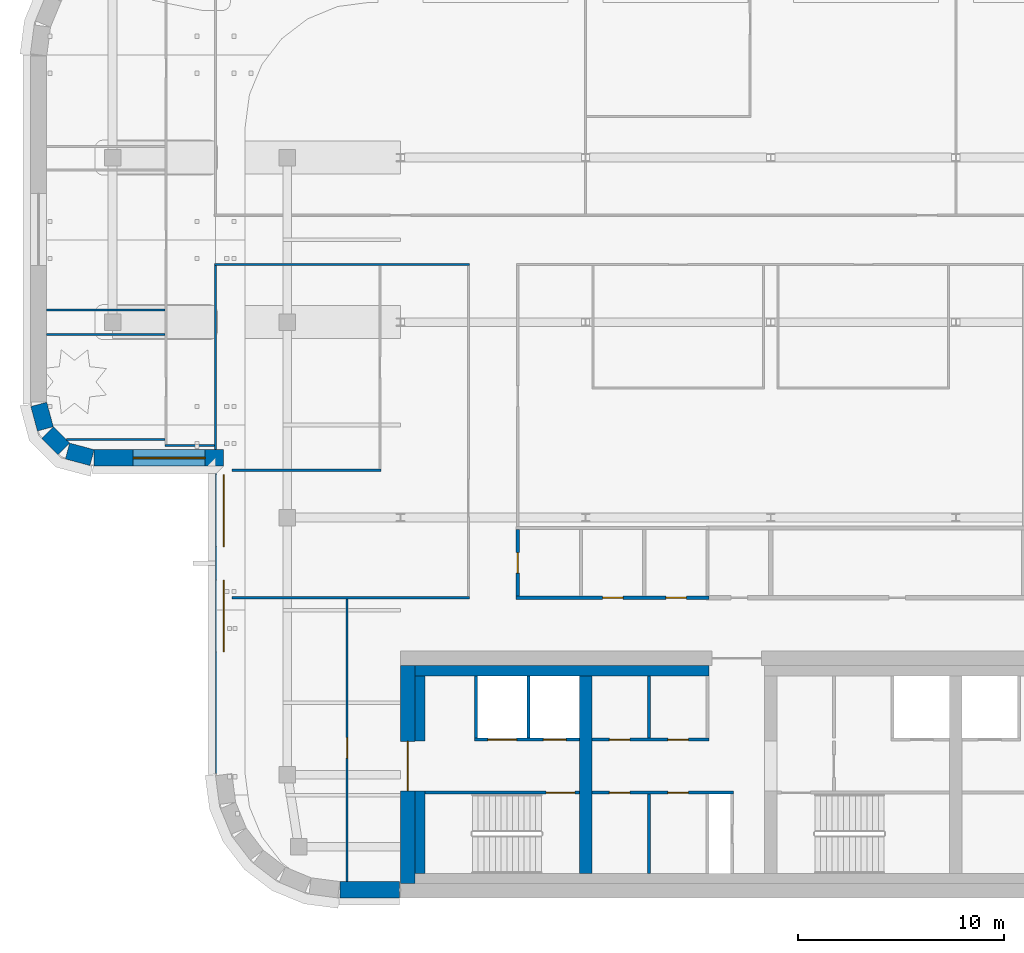
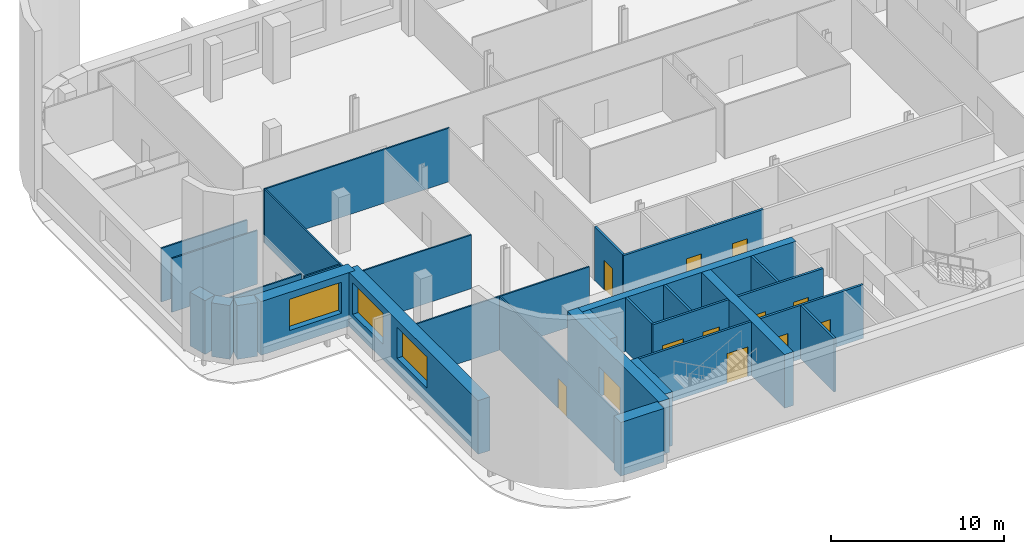
# One storey, part 6 of 19: 30 walls, 12 doors, 3 windows, 15 openings.
"""IFC4 building model written with IfcOpenShell, lengths in metres."""

from ifc_helpers import new_model, si_unit, direction, frame, frame_2d, origin, place, context, subcontext, project, spatial, rectangle, extrude, material, layer, layer_set, type_object, element, fill, save


model = new_model("IFC4")

# Units and contexts
model_context = context("Model", 3, precision=1e-05, world=origin(), true_north=direction((0.0, 1.0)))
body_context = subcontext(model_context, "Body", "Model", "MODEL_VIEW")
ifc_project = project(units=[si_unit("LENGTHUNIT", "METRE"), si_unit("AREAUNIT", "SQUARE_METRE"), si_unit("VOLUMEUNIT", "CUBIC_METRE"), si_unit("PLANEANGLEUNIT", "RADIAN"), si_unit("MASSUNIT", "GRAM", prefix="KILO")], contexts=[model_context])

# Site, building, storey
site_placement = place(None, origin())
site = spatial("IfcSite", under=ifc_project, at=site_placement, CompositionType="ELEMENT")
building_placement = place(site_placement, origin())
building = spatial("IfcBuilding", under=site, at=building_placement, Name="Zellij Exchange Tower", CompositionType="ELEMENT")
storey_placement = place(building_placement, frame((0.0, 0.0, 220.5)))
storey = spatial("IfcBuildingStorey", under=building, at=storey_placement, Name="L51", CompositionType="ELEMENT", Elevation=220.5)

# Walls
ifc_material_1 = material(Name="Concrete C50/60", Category="concrete")
ifc_layer_1 = layer(ifc_material_1, 0.60009765625)
ifc_layer_set_1 = layer_set([ifc_layer_1], Name="Concrete C50/60")
wall_type_1 = type_object("IfcWallType", Name="CORE-CW 600 C50/60", PredefinedType="SHEAR", material=ifc_layer_set_1)
wall_1_placement = place(storey_placement, frame((-18.0, -12.800048828125, 0.0), z_axis=(0.0, 0.0, 1.0), x_axis=(0.0, 1.0, 0.0)))
element("IfcWall", 1, at=wall_1_placement, inside=storey, type_object=wall_type_1, Name="Core cross wall x -18 L51", PredefinedType="SHEAR", context=body_context, shape_type="SweptSolid", body=[
    extrude(rectangle(XDim=9.60009765625, YDim=0.60009765625, at=frame_2d((4.800048828125, 0.0))), origin(), (0.0, 0.0, 1.0), 3.800048828125),
])
ifc_material_2 = material(Name="Concrete C30/37", Category="concrete")
ifc_layer_2 = layer(ifc_material_2, 0.5)
ifc_layer_set_2 = layer_set([ifc_layer_2], Name="Concrete C30/37")
wall_type_2 = type_object("IfcWallType", Name="CORE-LW 500 C30/37", PredefinedType="SHEAR", material=ifc_layer_set_2)
wall_2_placement = place(storey_placement, frame((-26.300048828125, -2.949951171875, 0.0), z_axis=(0.0, 0.0, 1.0), x_axis=(1.0, 0.0, 0.0)))
element("IfcWall", 2, at=wall_2_placement, inside=storey, type_object=wall_type_2, Name="Core wall lining front.0 L51", PredefinedType="SHEAR", context=body_context, shape_type="SweptSolid", body=[
    extrude(rectangle(XDim=14.300048828125, YDim=0.5, at=frame_2d((7.14990234375, 0.0))), origin(), (0.0, 0.0, 1.0), 3.800048828125),
])
wall_3_placement = place(storey_placement, frame((-26.050048828125, -12.800048828125, 0.0), z_axis=(0.0, 0.0, 1.0), x_axis=(0.0, 1.0, 0.0)))
element("IfcWall", 3, at=wall_3_placement, inside=storey, type_object=wall_type_2, Name="Core wall lining end w.0 L51", PredefinedType="SHEAR", context=body_context, shape_type="SweptSolid", body=[
    extrude(rectangle(XDim=4.0, YDim=0.5, at=frame_2d((2.0, 0.0))), origin(), (0.0, 0.0, 1.0), 3.800048828125),
])
wall_4_placement = place(storey_placement, frame((-26.050048828125, -6.375, 0.0), z_axis=(0.0, 0.0, 1.0), x_axis=(0.0, 1.0, 0.0)))
element("IfcWall", 4, at=wall_4_placement, inside=storey, type_object=wall_type_2, Name="Core wall lining end w.1 L51", PredefinedType="SHEAR", context=body_context, shape_type="SweptSolid", body=[
    extrude(rectangle(XDim=3.175048828125, YDim=0.5, at=frame_2d((1.58740234375, 0.0))), origin(), (0.0, 0.0, 1.0), 3.800048828125),
])
ifc_material_3 = material(Name="Gypsum board partition")
ifc_layer_3 = layer(ifc_material_3, 0.14990234375)
ifc_layer_set_3 = layer_set([ifc_layer_3], Name="Gypsum board partition")
wall_type_3 = type_object("IfcWallType", Name="CORE-PW 150 Lift lobby wall", PredefinedType="PARTITIONING", material=ifc_layer_set_3)
wall_5_placement = place(storey_placement, frame((-14.925048828125, -6.22509765625, 0.0), z_axis=(0.0, 0.0, 1.0), x_axis=(0.0, 1.0, 0.0)))
element("IfcWall", 5, at=wall_5_placement, inside=storey, type_object=wall_type_3, Name="Lift lobby wall L51", PredefinedType="PARTITIONING", context=body_context, shape_type="SweptSolid", body=[
    extrude(rectangle(XDim=3.025146484375, YDim=0.14990234375, at=frame_2d((1.5126953125, 0.0))), origin(), (0.0, 0.0, 1.0), 3.800048828125),
])
wall_6_placement = place(storey_placement, frame((-14.925048828125, -12.800048828125, 0.0), z_axis=(0.0, 0.0, 1.0), x_axis=(0.0, 1.0, 0.0)))
element("IfcWall", 6, at=wall_6_placement, inside=storey, type_object=wall_type_3, Name="Lift lobby wall L51", PredefinedType="PARTITIONING", context=body_context, shape_type="SweptSolid", body=[
    extrude(rectangle(XDim=3.85009765625, YDim=0.14990234375, at=frame_2d((1.925048828125, 0.0))), origin(), (0.0, 0.0, 1.0), 3.800048828125),
])

# Wall, openings, doors
wall_7_placement = place(storey_placement, frame((-17.699951171875, -6.300048828125, 0.0), z_axis=(0.0, 0.0, 1.0), x_axis=(1.0, 0.0, 0.0)))
wall_7 = element("IfcWall", 7, at=wall_7_placement, inside=storey, type_object=wall_type_3, Name="Lift lobby wall L51", PredefinedType="PARTITIONING", context=body_context, shape_type="SweptSolid", body=[
    extrude(rectangle(XDim=5.699951171875, YDim=0.14990234375, at=frame_2d((2.85009765625, 0.0))), origin(), (0.0, 0.0, 1.0), 3.800048828125),
])
opening_1_placement = place(wall_7_placement, frame((0.85009765625, 0.0, 0.0)))
opening_1 = element("IfcOpeningElement", 8, at=opening_1_placement, cuts=wall_7, Name="Opening CA-28.06", PredefinedType="OPENING", context=body_context, shape_type="SweptSolid", body=[
    extrude(rectangle(XDim=1.0, YDim=2.10009765625, at=frame_2d((0.5, 1.050048828125))), frame((0.0, 0.0869140625, 0.0), z_axis=(0.0, -1.0, 0.0), x_axis=(1.0, 0.0, 0.0)), (0.0, 0.0, 1.0), 0.173828125),
])
opening_2_placement = place(wall_7_placement, frame((3.699951171875, 0.0, 0.0)))
opening_2 = element("IfcOpeningElement", 9, at=opening_2_placement, cuts=wall_7, Name="Opening CA-28.08", PredefinedType="OPENING", context=body_context, shape_type="SweptSolid", body=[
    extrude(rectangle(XDim=1.0, YDim=2.10009765625, at=frame_2d((0.5, 1.050048828125))), frame((0.0, 0.0869140625, 0.0), z_axis=(0.0, -1.0, 0.0), x_axis=(1.0, 0.0, 0.0)), (0.0, 0.0, 1.0), 0.173828125),
])
ifc_material_4 = material(Name="Hollow metal fire door")
door_type_1 = type_object("IfcDoorType", Name="CORE-D CD Core room door 1000x2100 1 HR", OperationType="NOTDEFINED", PredefinedType="DOOR", material=ifc_material_4)
door_1_placement = place(opening_1_placement, origin())
door_1 = element("IfcDoor", 10, at=door_1_placement, inside=storey, type_object=door_type_1, Name="Core room door CA-28.06", OperationType="SINGLE_SWING_LEFT", OverallHeight=2.10009765625, OverallWidth=1.0, PredefinedType="DOOR", context=body_context, shape_type="SweptSolid", body=[
    extrude(rectangle(XDim=1.0, YDim=2.10009765625, at=frame_2d((0.5, 1.050048828125))), frame((0.0, 0.02490234375, 0.0), z_axis=(0.0, -1.0, 0.0), x_axis=(1.0, 0.0, 0.0)), (0.0, 0.0, 1.0), 0.050048828125),
])
fill(opening_1, door_1)
door_2_placement = place(opening_2_placement, origin())
door_2 = element("IfcDoor", 11, at=door_2_placement, inside=storey, type_object=door_type_1, Name="Core room door CA-28.08", OperationType="SINGLE_SWING_RIGHT", OverallHeight=2.10009765625, OverallWidth=1.0, PredefinedType="DOOR", context=body_context, shape_type="SweptSolid", body=[
    extrude(rectangle(XDim=1.0, YDim=2.10009765625, at=frame_2d((0.5, 1.050048828125))), frame((0.0, 0.02490234375, 0.0), z_axis=(0.0, -1.0, 0.0), x_axis=(1.0, 0.0, 0.0)), (0.0, 0.0, 1.0), 0.050048828125),
])
fill(opening_2, door_2)

wall_8_placement = place(storey_placement, frame((-17.699951171875, -8.875, 0.0), z_axis=(0.0, 0.0, 1.0), x_axis=(1.0, 0.0, 0.0)))
wall_8 = element("IfcWall", 12, at=wall_8_placement, inside=storey, type_object=wall_type_3, Name="Lift lobby wall L51", PredefinedType="PARTITIONING", context=body_context, shape_type="SweptSolid", body=[
    extrude(rectangle(XDim=6.89990234375, YDim=0.14990234375, at=frame_2d((3.449951171875, 0.0))), origin(), (0.0, 0.0, 1.0), 3.800048828125),
])
opening_3_placement = place(wall_8_placement, frame((0.85009765625, 0.0, 0.0)))
opening_3 = element("IfcOpeningElement", 13, at=opening_3_placement, cuts=wall_8, Name="Opening CA-28.05", PredefinedType="OPENING", context=body_context, shape_type="SweptSolid", body=[
    extrude(rectangle(XDim=1.0, YDim=2.10009765625, at=frame_2d((0.5, 1.050048828125))), frame((0.0, 0.0869140625, 0.0), z_axis=(0.0, -1.0, 0.0), x_axis=(1.0, 0.0, 0.0)), (0.0, 0.0, 1.0), 0.173828125),
])
opening_4_placement = place(wall_8_placement, frame((3.699951171875, 0.0, 0.0)))
opening_4 = element("IfcOpeningElement", 14, at=opening_4_placement, cuts=wall_8, Name="Opening CA-28.07", PredefinedType="OPENING", context=body_context, shape_type="SweptSolid", body=[
    extrude(rectangle(XDim=1.0, YDim=2.10009765625, at=frame_2d((0.5, 1.050048828125))), frame((0.0, 0.0869140625, 0.0), z_axis=(0.0, -1.0, 0.0), x_axis=(1.0, 0.0, 0.0)), (0.0, 0.0, 1.0), 0.173828125),
])
door_3_placement = place(opening_3_placement, origin())
door_3 = element("IfcDoor", 15, at=door_3_placement, inside=storey, type_object=door_type_1, Name="Core room door CA-28.05", OperationType="SINGLE_SWING_RIGHT", OverallHeight=2.10009765625, OverallWidth=1.0, PredefinedType="DOOR", context=body_context, shape_type="SweptSolid", body=[
    extrude(rectangle(XDim=1.0, YDim=2.10009765625, at=frame_2d((0.5, 1.050048828125))), frame((0.0, 0.02490234375, 0.0), z_axis=(0.0, -1.0, 0.0), x_axis=(1.0, 0.0, 0.0)), (0.0, 0.0, 1.0), 0.050048828125),
])
fill(opening_3, door_3)
door_4_placement = place(opening_4_placement, origin())
door_4 = element("IfcDoor", 16, at=door_4_placement, inside=storey, type_object=door_type_1, Name="Core room door CA-28.07", OperationType="SINGLE_SWING_LEFT", OverallHeight=2.10009765625, OverallWidth=1.0, PredefinedType="DOOR", context=body_context, shape_type="SweptSolid", body=[
    extrude(rectangle(XDim=1.0, YDim=2.10009765625, at=frame_2d((0.5, 1.050048828125))), frame((0.0, 0.02490234375, 0.0), z_axis=(0.0, -1.0, 0.0), x_axis=(1.0, 0.0, 0.0)), (0.0, 0.0, 1.0), 0.050048828125),
])
fill(opening_4, door_4)

# Walls
ifc_material_5 = material(Name="Gypsum shaft wall system")
ifc_layer_4 = layer(ifc_material_5, 0.14990234375)
ifc_layer_set_4 = layer_set([ifc_layer_4], Name="Gypsum shaft wall system")
wall_type_4 = type_object("IfcWallType", Name="CORE-PW 150 Lift shaft wall", PredefinedType="PARTITIONING", material=ifc_layer_set_4)
for number, where, z_axis, x_axis, name in (
    (17, (-20.77490234375, -6.22509765625, 0.0), (0.0, 0.0, 1.0), (0.0, 1.0, 0.0), "Lift shaft wall L51"),
    (18, (-23.324951171875, -6.22509765625, 0.0), (0.0, 0.0, 1.0), (0.0, 1.0, 0.0), "Lift shaft wall L51"),
):
    element("IfcWall", number, at=place(storey_placement, frame(where, z_axis=z_axis, x_axis=x_axis)), inside=storey, type_object=wall_type_4, Name=name, PredefinedType="PARTITIONING", context=body_context, shape_type="SweptSolid", body=[
        extrude(rectangle(XDim=3.025146484375, YDim=0.14990234375, at=frame_2d((1.5126953125, 0.0))), origin(), (0.0, 0.0, 1.0), 3.800048828125),
    ])

# Wall, openings, doors
wall_9_placement = place(storey_placement, frame((-23.39990234375, -6.300048828125, 0.0), z_axis=(0.0, 0.0, 1.0), x_axis=(1.0, 0.0, 0.0)))
wall_9 = element("IfcWall", 19, at=wall_9_placement, inside=storey, type_object=wall_type_4, Name="Lift shaft wall L51", PredefinedType="PARTITIONING", context=body_context, shape_type="SweptSolid", body=[
    extrude(rectangle(XDim=5.099853515625, YDim=0.14990234375, at=frame_2d((2.5498046875, 0.0))), origin(), (0.0, 0.0, 1.0), 3.800048828125),
])
opening_5_placement = place(wall_9_placement, frame((0.64990234375, 0.0, 0.0)))
opening_5 = element("IfcOpeningElement", 20, at=opening_5_placement, cuts=wall_9, Name="Opening CA-28.02", PredefinedType="OPENING", context=body_context, shape_type="SweptSolid", body=[
    extrude(rectangle(XDim=1.39990234375, YDim=2.10009765625, at=frame_2d((0.699951171875, 1.050048828125))), frame((0.0, 0.0869140625, 0.0), z_axis=(0.0, -1.0, 0.0), x_axis=(1.0, 0.0, 0.0)), (0.0, 0.0, 1.0), 0.173828125),
])
opening_6_placement = place(wall_9_placement, frame((3.35009765625, 0.0, 0.0)))
opening_6 = element("IfcOpeningElement", 21, at=opening_6_placement, cuts=wall_9, Name="Opening CA-28.03", PredefinedType="OPENING", context=body_context, shape_type="SweptSolid", body=[
    extrude(rectangle(XDim=1.10009765625, YDim=2.10009765625, at=frame_2d((0.550048828125, 1.050048828125))), frame((0.0, 0.0869140625, 0.0), z_axis=(0.0, -1.0, 0.0), x_axis=(1.0, 0.0, 0.0)), (0.0, 0.0, 1.0), 0.173828125),
])
door_type_2 = type_object("IfcDoorType", Name="CORE-D LD Lift landing door 1100x2100 1.5 HR", OperationType="NOTDEFINED", PredefinedType="DOOR", material=ifc_material_4)
door_5_placement = place(opening_6_placement, origin())
door_5 = element("IfcDoor", 22, at=door_5_placement, inside=storey, type_object=door_type_2, Name="Lift landing door CA-28.03", OperationType="SLIDING_TO_LEFT", OverallHeight=2.10009765625, OverallWidth=1.10009765625, PredefinedType="DOOR", context=body_context, shape_type="SweptSolid", body=[
    extrude(rectangle(XDim=1.10009765625, YDim=2.10009765625, at=frame_2d((0.550048828125, 1.050048828125))), frame((0.0, 0.02490234375, 0.0), z_axis=(0.0, -1.0, 0.0), x_axis=(1.0, 0.0, 0.0)), (0.0, 0.0, 1.0), 0.050048828125),
])
fill(opening_6, door_5)
door_type_3 = type_object("IfcDoorType", Name="CORE-D LD2 Service lift landing door 1400x2100 1.5 HR", OperationType="NOTDEFINED", PredefinedType="DOOR", material=ifc_material_4)
door_6_placement = place(opening_5_placement, origin())
door_6 = element("IfcDoor", 23, at=door_6_placement, inside=storey, type_object=door_type_3, Name="Service lift landing door CA-28.02", OperationType="SLIDING_TO_RIGHT", OverallHeight=2.10009765625, OverallWidth=1.39990234375, PredefinedType="DOOR", context=body_context, shape_type="SweptSolid", body=[
    extrude(rectangle(XDim=1.39990234375, YDim=2.10009765625, at=frame_2d((0.699951171875, 1.050048828125))), frame((0.0, 0.02490234375, 0.0), z_axis=(0.0, -1.0, 0.0), x_axis=(1.0, 0.0, 0.0)), (0.0, 0.0, 1.0), 0.050048828125),
])
fill(opening_5, door_6)

# Wall, opening, door
ifc_layer_5 = layer(ifc_material_1, 0.699951171875)
ifc_layer_set_5 = layer_set([ifc_layer_5], Name="Concrete C50/60")
wall_type_5 = type_object("IfcWallType", Name="CORE-SW 700 C50/60", PredefinedType="SHEAR", material=ifc_layer_set_5)
wall_10_placement = place(storey_placement, frame((-26.64990234375, -13.300048828125, 0.0), z_axis=(0.0, 0.0, 1.0), x_axis=(0.0, 1.0, 0.0)))
wall_10 = element("IfcWall", 24, at=wall_10_placement, inside=storey, type_object=wall_type_5, Name="Core shear wall end w L51", PredefinedType="SHEAR", context=body_context, shape_type="SweptSolid", body=[
    extrude(rectangle(XDim=10.60009765625, YDim=0.699951171875, at=frame_2d((5.300048828125, 0.0))), origin(), (0.0, 0.0, 1.0), 3.800048828125),
])
opening_7_placement = place(wall_10_placement, frame((4.511962890625, 0.0, 0.0)))
opening_7 = element("IfcOpeningElement", 25, at=opening_7_placement, cuts=wall_10, Name="Opening CA-28.01", PredefinedType="OPENING", context=body_context, shape_type="SweptSolid", body=[
    extrude(rectangle(XDim=2.39990234375, YDim=2.10009765625, at=frame_2d((1.199951171875, 1.050048828125))), frame((0.0, 0.36181640625, 0.0), z_axis=(0.0, -1.0, 0.0), x_axis=(1.0, 0.0, 0.0)), (0.0, 0.0, 1.0), 0.723876953125),
])
door_type_4 = type_object("IfcDoorType", Name="CORE-D CE Core entrance door 2400x2100 20 MIN", OperationType="NOTDEFINED", PredefinedType="DOOR", material=ifc_material_4)
door_7_placement = place(opening_7_placement, origin())
door_7 = element("IfcDoor", 26, at=door_7_placement, inside=storey, type_object=door_type_4, Name="Core entrance door CA-28.01", OperationType="DOUBLE_DOOR_SINGLE_SWING", OverallHeight=2.10009765625, OverallWidth=2.39990234375, PredefinedType="DOOR", context=body_context, shape_type="SweptSolid", body=[
    extrude(rectangle(XDim=2.39990234375, YDim=2.10009765625, at=frame_2d((1.199951171875, 1.050048828125))), frame((0.0, 0.02490234375, 0.0), z_axis=(0.0, -1.0, 0.0), x_axis=(1.0, 0.0, 0.0)), (0.0, 0.0, 1.0), 0.050048828125),
])
fill(opening_7, door_7)

ifc_layer_6 = layer(ifc_material_1, 0.14990234375)
ifc_layer_set_6 = layer_set([ifc_layer_6], Name="Concrete C50/60")
wall_type_6 = type_object("IfcWallType", Name="CORE-SWS 150 C50/60", PredefinedType="SHEAR", material=ifc_layer_set_6)
wall_11_placement = place(storey_placement, frame((-25.800048828125, -8.875, 0.0), z_axis=(0.0, 0.0, 1.0), x_axis=(1.0, 0.0, 0.0)))
wall_11 = element("IfcWall", 27, at=wall_11_placement, inside=storey, type_object=wall_type_6, Name="Stair enclosure wall L51", PredefinedType="SHEAR", context=body_context, shape_type="SweptSolid", body=[
    extrude(rectangle(XDim=7.5, YDim=0.14990234375, at=frame_2d((3.75, 0.0))), origin(), (0.0, 0.0, 1.0), 3.800048828125),
])
opening_8_placement = place(wall_11_placement, frame((5.875, 0.0, 0.0)))
opening_8 = element("IfcOpeningElement", 28, at=opening_8_placement, cuts=wall_11, Name="Opening CA-28.04", PredefinedType="OPENING", context=body_context, shape_type="SweptSolid", body=[
    extrude(rectangle(XDim=1.39990234375, YDim=2.10009765625, at=frame_2d((0.699951171875, 1.050048828125))), frame((0.0, 0.0869140625, 0.0), z_axis=(0.0, -1.0, 0.0), x_axis=(1.0, 0.0, 0.0)), (0.0, 0.0, 1.0), 0.173828125),
])
door_type_5 = type_object("IfcDoorType", Name="CORE-D SD Stair door 1400x2100 1.5 HR", OperationType="NOTDEFINED", PredefinedType="DOOR", material=ifc_material_4)
door_8_placement = place(opening_8_placement, origin())
door_8 = element("IfcDoor", 29, at=door_8_placement, inside=storey, type_object=door_type_5, Name="Stair door CA-28.04", OperationType="DOUBLE_DOOR_SINGLE_SWING", OverallHeight=2.10009765625, OverallWidth=1.39990234375, PredefinedType="DOOR", context=body_context, shape_type="SweptSolid", body=[
    extrude(rectangle(XDim=1.39990234375, YDim=2.10009765625, at=frame_2d((0.699951171875, 1.050048828125))), frame((0.0, 0.02490234375, 0.0), z_axis=(0.0, -1.0, 0.0), x_axis=(1.0, 0.0, 0.0)), (0.0, 0.0, 1.0), 0.050048828125),
])
fill(opening_8, door_8)

# Walls
ifc_material_6 = material(Name="Precast concrete C40/50", Category="concrete")
ifc_layer_7 = layer(ifc_material_6, 0.800048828125)
ifc_layer_set_7 = layer_set([ifc_layer_7], Name="Precast concrete C40/50")
wall_type_7 = type_object("IfcWallType", Name="ENV-EW1 Precast stone-piered wall 800", PredefinedType="SOLIDWALL", material=ifc_layer_set_7)
wall_12_placement = place(storey_placement, frame((-29.947509765625, -13.60009765625, 0.0), z_axis=(0.0, 0.0, 1.0), x_axis=(1.0, 0.0, 0.0)))
element("IfcWall", 30, at=wall_12_placement, inside=storey, type_object=wall_type_7, Name="fac.L51.00a", PredefinedType="SOLIDWALL", context=body_context, shape_type="SweptSolid", body=[
    extrude(rectangle(XDim=2.8974609375, YDim=0.800048828125, at=frame_2d((1.44873046875, 0.0))), origin(), (0.0, 0.0, 1.0), 3.800048828125),
])
wall_13_placement = place(storey_placement, frame((-44.58642578125, 10.001708984375, 0.0), z_axis=(0.0, 0.0, 1.0), x_axis=(0.258943885187, -0.965892366842, 0.0)))
element("IfcWall", 31, at=wall_13_placement, inside=storey, type_object=wall_type_7, Name="fac.L51.22", PredefinedType="SOLIDWALL", context=body_context, shape_type="SweptSolid", body=[
    extrude(rectangle(XDim=1.233154296875, YDim=0.800048828125, at=frame_2d((0.61669921875, 0.0))), origin(), (0.0, 0.0, 1.0), 3.800048828125),
])
wall_14_placement = place(storey_placement, frame((-44.163818359375, 8.63134765625, 0.0), z_axis=(0.0, 0.0, 1.0), x_axis=(0.707106781187, -0.707106781187, 0.0)))
element("IfcWall", 32, at=wall_14_placement, inside=storey, type_object=wall_type_7, Name="fac.L51.23", PredefinedType="SOLIDWALL", context=body_context, shape_type="SweptSolid", body=[
    extrude(rectangle(XDim=1.12451171875, YDim=0.800048828125, at=frame_2d((0.562255859375, 0.0))), origin(), (0.0, 0.0, 1.0), 3.800048828125),
])
wall_15_placement = place(storey_placement, frame((-43.189453125, 7.73291015625, 0.0), z_axis=(0.0, 0.0, 1.0), x_axis=(0.965892366842, -0.258943885187, 0.0)))
element("IfcWall", 33, at=wall_15_placement, inside=storey, type_object=wall_type_7, Name="fac.L51.24", PredefinedType="SOLIDWALL", context=body_context, shape_type="SweptSolid", body=[
    extrude(rectangle(XDim=1.233154296875, YDim=0.800048828125, at=frame_2d((0.61669921875, 0.0))), origin(), (0.0, 0.0, 1.0), 3.800048828125),
])

# Wall, opening, window
wall_16_placement = place(storey_placement, frame((-41.89453125, 7.39990234375, 0.0), z_axis=(0.0, 0.0, 1.0), x_axis=(1.0, 0.0, 0.0)))
wall_16 = element("IfcWall", 34, at=wall_16_placement, inside=storey, type_object=wall_type_7, Name="fac.L51.25", PredefinedType="SOLIDWALL", context=body_context, shape_type="SweptSolid", body=[
    extrude(rectangle(XDim=6.29443359375, YDim=0.800048828125, at=frame_2d((3.147216796875, 0.0))), origin(), (0.0, 0.0, 1.0), 3.800048828125),
])
opening_9_placement = place(wall_16_placement, frame((1.89453125, 0.0, 1.10009765625)))
opening_9 = element("IfcOpeningElement", 35, at=opening_9_placement, cuts=wall_16, Name="Opening FZ4.21", PredefinedType="OPENING", context=body_context, shape_type="SweptSolid", body=[
    extrude(rectangle(XDim=3.5, YDim=2.199951171875, at=frame_2d((1.75, 1.10009765625))), frame((0.0, 0.412109375, 0.0), z_axis=(0.0, -1.0, 0.0), x_axis=(1.0, 0.0, 0.0)), (0.0, 0.0, 1.0), 0.823974609375),
])
ifc_material_7 = material(Name="Aluminium frame with insulating glass", Category="aluminium")
window_type = type_object("IfcWindowType", Name="ENV-W7 Window 3500x2200", PartitioningType="SINGLE_PANEL", PredefinedType="WINDOW", material=ifc_material_7)
window_1_placement = place(opening_9_placement, origin())
window_1 = element("IfcWindow", 36, at=window_1_placement, inside=storey, type_object=window_type, Name="Window FZ4.21", OverallHeight=2.199951171875, OverallWidth=3.5, PartitioningType="SINGLE_PANEL", PredefinedType="WINDOW", context=body_context, shape_type="SweptSolid", body=[
    extrude(rectangle(XDim=3.5, YDim=2.199951171875, at=frame_2d((1.75, 1.10009765625))), frame((0.0, 0.030029296875, 0.0), z_axis=(0.0, -1.0, 0.0), x_axis=(1.0, 0.0, 0.0)), (0.0, 0.0, 1.0), 0.06005859375),
])
fill(opening_9, window_1)

# Wall, openings, windows
wall_17_placement = place(storey_placement, frame((-35.60009765625, 7.39990234375, 0.0), z_axis=(0.0, 0.0, 1.0), x_axis=(0.0, -1.0, 0.0)))
wall_17 = element("IfcWall", 37, at=wall_17_placement, inside=storey, type_object=wall_type_7, Name="fac.L51.26", PredefinedType="SOLIDWALL", context=body_context, shape_type="SweptSolid", body=[
    extrude(rectangle(XDim=15.347412109375, YDim=0.800048828125, at=frame_2d((7.673828125, 0.0))), origin(), (0.0, 0.0, 1.0), 3.800048828125),
])
opening_10_placement = place(wall_17_placement, frame((0.812255859375, 0.0, 1.10009765625)))
opening_10 = element("IfcOpeningElement", 38, at=opening_10_placement, cuts=wall_17, Name="Opening FZ4.22", PredefinedType="OPENING", context=body_context, shape_type="SweptSolid", body=[
    extrude(rectangle(XDim=3.5, YDim=2.199951171875, at=frame_2d((1.75, 1.10009765625))), frame((0.0, 0.412109375, 0.0), z_axis=(0.0, -1.0, 0.0), x_axis=(1.0, 0.0, 0.0)), (0.0, 0.0, 1.0), 0.823974609375),
])
opening_11_placement = place(wall_17_placement, frame((5.93701171875, 0.0, 1.10009765625)))
opening_11 = element("IfcOpeningElement", 39, at=opening_11_placement, cuts=wall_17, Name="Opening FZ4.23", PredefinedType="OPENING", context=body_context, shape_type="SweptSolid", body=[
    extrude(rectangle(XDim=3.5, YDim=2.199951171875, at=frame_2d((1.75, 1.10009765625))), frame((0.0, 0.412109375, 0.0), z_axis=(0.0, -1.0, 0.0), x_axis=(1.0, 0.0, 0.0)), (0.0, 0.0, 1.0), 0.823974609375),
])
window_2_placement = place(opening_10_placement, origin())
window_2 = element("IfcWindow", 40, at=window_2_placement, inside=storey, type_object=window_type, Name="Window FZ4.22", OverallHeight=2.199951171875, OverallWidth=3.5, PartitioningType="SINGLE_PANEL", PredefinedType="WINDOW", context=body_context, shape_type="SweptSolid", body=[
    extrude(rectangle(XDim=3.5, YDim=2.199951171875, at=frame_2d((1.75, 1.10009765625))), frame((0.0, 0.030029296875, 0.0), z_axis=(0.0, -1.0, 0.0), x_axis=(1.0, 0.0, 0.0)), (0.0, 0.0, 1.0), 0.06005859375),
])
fill(opening_10, window_2)
window_3_placement = place(opening_11_placement, origin())
window_3 = element("IfcWindow", 41, at=window_3_placement, inside=storey, type_object=window_type, Name="Window FZ4.23", OverallHeight=2.199951171875, OverallWidth=3.5, PartitioningType="SINGLE_PANEL", PredefinedType="WINDOW", context=body_context, shape_type="SweptSolid", body=[
    extrude(rectangle(XDim=3.5, YDim=2.199951171875, at=frame_2d((1.75, 1.10009765625))), frame((0.0, 0.030029296875, 0.0), z_axis=(0.0, -1.0, 0.0), x_axis=(1.0, 0.0, 0.0)), (0.0, 0.0, 1.0), 0.06005859375),
])
fill(opening_11, window_3)

# Wall, opening, door
ifc_material_8 = material(Name="Gypsum board partition on steel studs", Category="steel")
ifc_layer_8 = layer(ifc_material_8, 0.10009765625)
ifc_layer_set_8 = layer_set([ifc_layer_8], Name="Gypsum board partition on steel studs")
wall_type_8 = type_object("IfcWallType", Name="FIT-PARTITION-100", PredefinedType="PARTITIONING", material=ifc_layer_set_8)
wall_18_placement = place(storey_placement, frame((-29.60009765625, -13.199951171875, 0.0), z_axis=(0.0, 0.0, 1.0), x_axis=(0.0, 1.0, 0.0)))
wall_18 = element("IfcWall", 42, at=wall_18_placement, inside=storey, type_object=wall_type_8, Name="FIT-PARTITION-100 001", PredefinedType="PARTITIONING", context=body_context, shape_type="SweptSolid", body=[
    extrude(rectangle(XDim=13.75, YDim=0.10009765625, at=frame_2d((6.875, 0.0))), origin(), (0.0, 0.0, 1.0), 3.800048828125),
])
opening_12_placement = place(wall_18_placement, frame((6.0, 0.0, 0.0)))
opening_12 = element("IfcOpeningElement", 43, at=opening_12_placement, cuts=wall_18, Name="Opening O4A.01", PredefinedType="OPENING", context=body_context, shape_type="SweptSolid", body=[
    extrude(rectangle(XDim=1.0, YDim=2.10009765625, at=frame_2d((0.5, 1.050048828125))), frame((0.0, 0.06201171875, 0.0), z_axis=(0.0, -1.0, 0.0), x_axis=(1.0, 0.0, 0.0)), (0.0, 0.0, 1.0), 0.1240234375),
])
ifc_material_9 = material(Name="Timber door set", Category="wood")
door_type_6 = type_object("IfcDoorType", Name="FIT-D2-WIDE-1000X2100", OperationType="SINGLE_SWING_LEFT", PredefinedType="DOOR", material=ifc_material_9)
door_9_placement = place(opening_12_placement, origin())
door_9 = element("IfcDoor", 44, at=door_9_placement, inside=storey, type_object=door_type_6, Name="Door O4A.01", OperationType="SINGLE_SWING_RIGHT", OverallHeight=2.10009765625, OverallWidth=1.0, PredefinedType="DOOR", context=body_context, shape_type="SweptSolid", body=[
    extrude(rectangle(XDim=1.0, YDim=2.10009765625, at=frame_2d((0.5, 1.050048828125))), frame((0.0, 0.02490234375, 0.0), z_axis=(0.0, -1.0, 0.0), x_axis=(1.0, 0.0, 0.0)), (0.0, 0.0, 1.0), 0.050048828125),
])
fill(opening_12, door_9)

# Walls
wall_19_placement = place(storey_placement, frame((-35.199951171875, 0.60009765625, 0.0), z_axis=(0.0, 0.0, 1.0), x_axis=(1.0, 0.0, 0.0)))
element("IfcWall", 45, at=wall_19_placement, inside=storey, type_object=wall_type_8, Name="FIT-PARTITION-100 004", PredefinedType="PARTITIONING", context=body_context, shape_type="SweptSolid", body=[
    extrude(rectangle(XDim=11.550048828125, YDim=0.10009765625, at=frame_2d((5.77490234375, 0.0))), origin(), (0.0, 0.0, 1.0), 3.800048828125),
])
wall_20_placement = place(storey_placement, frame((-35.199951171875, 6.800048828125, 0.0), z_axis=(0.0, 0.0, 1.0), x_axis=(1.0, 0.0, 0.0)))
element("IfcWall", 46, at=wall_20_placement, inside=storey, type_object=wall_type_8, Name="FIT-PARTITION-100 030", PredefinedType="PARTITIONING", context=body_context, shape_type="SweptSolid", body=[
    extrude(rectangle(XDim=7.25, YDim=0.10009765625, at=frame_2d((3.625, 0.0))), origin(), (0.0, 0.0, 1.0), 3.800048828125),
])
wall_21_placement = place(storey_placement, frame((-36.0, 7.800048828125, 0.0), z_axis=(0.0, 0.0, 1.0), x_axis=(0.0, 1.0, 0.0)))
element("IfcWall", 47, at=wall_21_placement, inside=storey, type_object=wall_type_8, Name="FIT-PARTITION-100 033", PredefinedType="PARTITIONING", context=body_context, shape_type="SweptSolid", body=[
    extrude(rectangle(XDim=8.949951171875, YDim=0.10009765625, at=frame_2d((4.47509765625, 0.0))), origin(), (0.0, 0.0, 1.0), 3.800048828125),
])
wall_22_placement = place(storey_placement, frame((-38.449951171875, 8.0, 0.0), z_axis=(0.0, 0.0, 1.0), x_axis=(1.0, 0.0, 0.0)))
element("IfcWall", 48, at=wall_22_placement, inside=storey, type_object=wall_type_8, Name="FIT-PARTITION-100 034", PredefinedType="PARTITIONING", context=body_context, shape_type="SweptSolid", body=[
    extrude(rectangle(XDim=2.39990234375, YDim=0.10009765625, at=frame_2d((1.199951171875, 0.0))), origin(), (0.0, 0.0, 1.0), 3.800048828125),
])
wall_23_placement = place(storey_placement, frame((-43.22998046875, 8.300048828125, 0.0), z_axis=(0.0, 0.0, 1.0), x_axis=(1.0, 0.0, 0.0)))
element("IfcWall", 49, at=wall_23_placement, inside=storey, type_object=wall_type_8, Name="FIT-PARTITION-100 036", PredefinedType="PARTITIONING", context=body_context, shape_type="SweptSolid", body=[
    extrude(rectangle(XDim=4.780029296875, YDim=0.10009765625, at=frame_2d((2.39013671875, 0.0))), origin(), (0.0, 0.0, 1.0), 3.800048828125),
])
for number, where, z_axis, x_axis, name in (
    (50, (-44.199951171875, 13.39990234375, 0.0), (0.0, 0.0, 1.0), (1.0, 0.0, 0.0), "FIT-PARTITION-100 050"),
    (51, (-44.199951171875, 14.60009765625, 0.0), (0.0, 0.0, 1.0), (1.0, 0.0, 0.0), "FIT-PARTITION-100 051"),
):
    element("IfcWall", number, at=place(storey_placement, frame(where, z_axis=z_axis, x_axis=x_axis)), inside=storey, type_object=wall_type_8, Name=name, PredefinedType="PARTITIONING", context=body_context, shape_type="SweptSolid", body=[
        extrude(rectangle(XDim=5.75, YDim=0.10009765625, at=frame_2d((2.875, 0.0))), origin(), (0.0, 0.0, 1.0), 3.800048828125),
    ])
wall_24_placement = place(storey_placement, frame((-36.050048828125, 16.800048828125, 0.0), z_axis=(0.0, 0.0, 1.0), x_axis=(1.0, 0.0, 0.0)))
element("IfcWall", 52, at=wall_24_placement, inside=storey, type_object=wall_type_8, Name="FIT-PARTITION-100 052", PredefinedType="PARTITIONING", context=body_context, shape_type="SweptSolid", body=[
    extrude(rectangle(XDim=12.400146484375, YDim=0.10009765625, at=frame_2d((6.2001953125, 0.0))), origin(), (0.0, 0.0, 1.0), 3.800048828125),
])

# Wall, openings, doors
ifc_material_10 = material(Name="Gypsum board shaft-wall partition", Category="gypsum")
ifc_layer_9 = layer(ifc_material_10, 0.14990234375)
ifc_layer_set_9 = layer_set([ifc_layer_9], Name="Gypsum board shaft-wall partition")
wall_type_9 = type_object("IfcWallType", Name="FIT-PARTITION-150-EI60", PredefinedType="PARTITIONING", material=ifc_layer_set_9)
wall_25_placement = place(storey_placement, frame((-21.375, 0.60009765625, 0.0), z_axis=(0.0, 0.0, 1.0), x_axis=(1.0, 0.0, 0.0)))
wall_25 = element("IfcWall", 53, at=wall_25_placement, inside=storey, type_object=wall_type_9, Name="FIT-PARTITION-150-EI60 006", PredefinedType="PARTITIONING", context=body_context, shape_type="SweptSolid", body=[
    extrude(rectangle(XDim=9.3701171875, YDim=0.14990234375, at=frame_2d((4.68505859375, 0.0))), origin(), (0.0, 0.0, 1.0), 3.800048828125),
])
opening_13_placement = place(wall_25_placement, frame((4.199951171875, 0.0, 0.0)))
opening_13 = element("IfcOpeningElement", 54, at=opening_13_placement, cuts=wall_25, Name="Opening O4A.03", PredefinedType="OPENING", context=body_context, shape_type="SweptSolid", body=[
    extrude(rectangle(XDim=1.0, YDim=2.10009765625, at=frame_2d((0.5, 1.050048828125))), frame((0.0, 0.0869140625, 0.0), z_axis=(0.0, -1.0, 0.0), x_axis=(1.0, 0.0, 0.0)), (0.0, 0.0, 1.0), 0.173828125),
])
opening_14_placement = place(wall_25_placement, frame((7.27490234375, 0.0, 0.0)))
opening_14 = element("IfcOpeningElement", 55, at=opening_14_placement, cuts=wall_25, Name="Opening O4A.04", PredefinedType="OPENING", context=body_context, shape_type="SweptSolid", body=[
    extrude(rectangle(XDim=1.0, YDim=2.10009765625, at=frame_2d((0.5, 1.050048828125))), frame((0.0, 0.0869140625, 0.0), z_axis=(0.0, -1.0, 0.0), x_axis=(1.0, 0.0, 0.0)), (0.0, 0.0, 1.0), 0.173828125),
])
ifc_material_11 = material(Name="Steel fire door set", Category="steel")
door_type_7 = type_object("IfcDoorType", Name="FIT-D4-FIRE-1000X2100", OperationType="SINGLE_SWING_LEFT", PredefinedType="DOOR", material=ifc_material_11)
door_10_placement = place(opening_13_placement, origin())
door_10 = element("IfcDoor", 56, at=door_10_placement, inside=storey, type_object=door_type_7, Name="Door O4A.03", OperationType="SINGLE_SWING_RIGHT", OverallHeight=2.10009765625, OverallWidth=1.0, PredefinedType="DOOR", context=body_context, shape_type="SweptSolid", body=[
    extrude(rectangle(XDim=1.0, YDim=2.10009765625, at=frame_2d((0.5, 1.050048828125))), frame((0.0, 0.02490234375, 0.0), z_axis=(0.0, -1.0, 0.0), x_axis=(1.0, 0.0, 0.0)), (0.0, 0.0, 1.0), 0.050048828125),
])
fill(opening_13, door_10)
door_11_placement = place(opening_14_placement, origin())
door_11 = element("IfcDoor", 57, at=door_11_placement, inside=storey, type_object=door_type_7, Name="Door O4A.04", OperationType="SINGLE_SWING_RIGHT", OverallHeight=2.10009765625, OverallWidth=1.0, PredefinedType="DOOR", context=body_context, shape_type="SweptSolid", body=[
    extrude(rectangle(XDim=1.0, YDim=2.10009765625, at=frame_2d((0.5, 1.050048828125))), frame((0.0, 0.02490234375, 0.0), z_axis=(0.0, -1.0, 0.0), x_axis=(1.0, 0.0, 0.0)), (0.0, 0.0, 1.0), 0.050048828125),
])
fill(opening_14, door_11)

# Wall, opening, door
wall_26_placement = place(storey_placement, frame((-21.300048828125, 0.675048828125, 0.0), z_axis=(0.0, 0.0, 1.0), x_axis=(0.0, 1.0, 0.0)))
wall_26 = element("IfcWall", 58, at=wall_26_placement, inside=storey, type_object=wall_type_9, Name="FIT-PARTITION-150-EI60 007", PredefinedType="PARTITIONING", context=body_context, shape_type="SweptSolid", body=[
    extrude(rectangle(XDim=3.25, YDim=0.14990234375, at=frame_2d((1.625, 0.0))), origin(), (0.0, 0.0, 1.0), 3.800048828125),
])
opening_15_placement = place(wall_26_placement, frame((1.125, 0.0, 0.0)))
opening_15 = element("IfcOpeningElement", 59, at=opening_15_placement, cuts=wall_26, Name="Opening O4A.08", PredefinedType="OPENING", context=body_context, shape_type="SweptSolid", body=[
    extrude(rectangle(XDim=1.0, YDim=2.10009765625, at=frame_2d((0.5, 1.050048828125))), frame((0.0, 0.0869140625, 0.0), z_axis=(0.0, -1.0, 0.0), x_axis=(1.0, 0.0, 0.0)), (0.0, 0.0, 1.0), 0.173828125),
])
door_12_placement = place(opening_15_placement, origin())
door_12 = element("IfcDoor", 60, at=door_12_placement, inside=storey, type_object=door_type_7, Name="Door O4A.08", OperationType="SINGLE_SWING_RIGHT", OverallHeight=2.10009765625, OverallWidth=1.0, PredefinedType="DOOR", context=body_context, shape_type="SweptSolid", body=[
    extrude(rectangle(XDim=1.0, YDim=2.10009765625, at=frame_2d((0.5, 1.050048828125))), frame((0.0, 0.02490234375, 0.0), z_axis=(0.0, -1.0, 0.0), x_axis=(1.0, 0.0, 0.0)), (0.0, 0.0, 1.0), 0.050048828125),
])
fill(opening_15, door_12)

save(model, "model.ifc")
